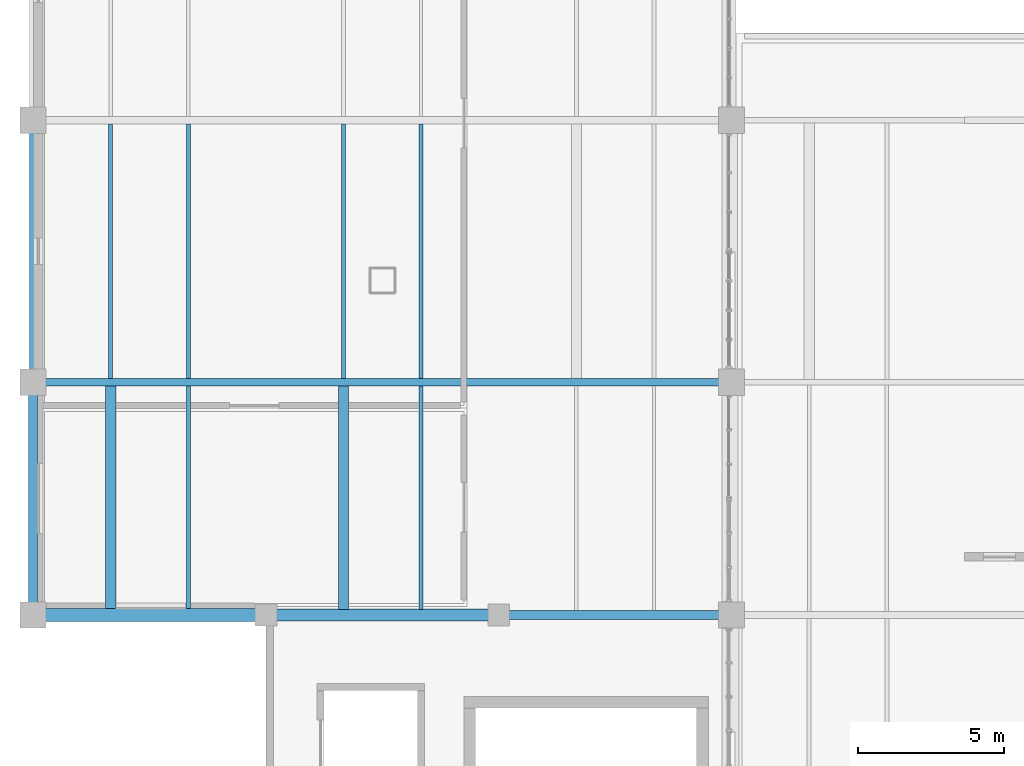
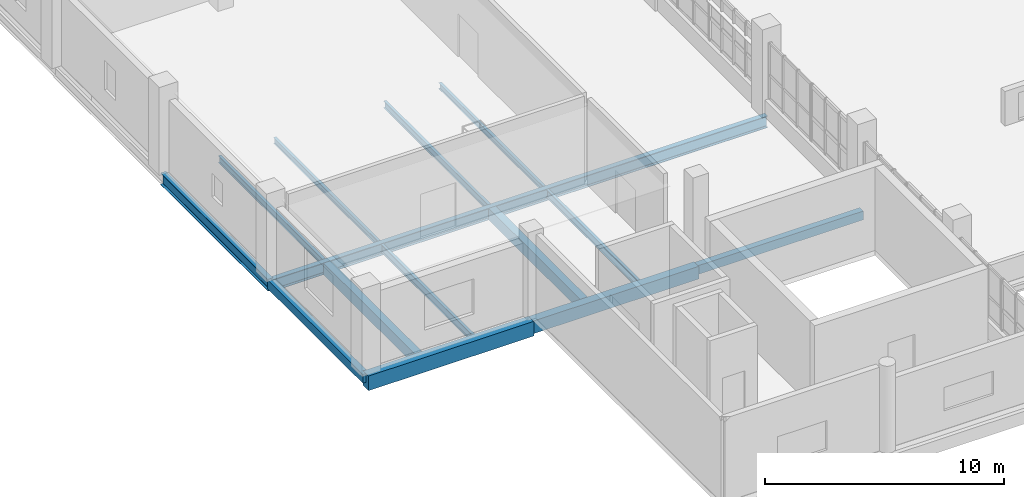
# One storey, part 12 of 85: 14 beams.
"""IFC4 building model written with IfcOpenShell, lengths in metres."""

from ifc_helpers import new_model, si_unit, derived_unit, direction, frame, origin, origin_2d, place, context, subcontext, project, spatial, rectangle, i_section, extrude, material, material_profile, profile_set, type_object, element, save


model = new_model("IFC4")

# Units and contexts
model_context = context("Model", 3, precision=1e-05, world=origin(), true_north=direction((0.0, 1.0)))
body_context = subcontext(model_context, "Body", "Model", "MODEL_VIEW")
ifc_project = project(units=[si_unit("LENGTHUNIT", "METRE"), si_unit("AREAUNIT", "SQUARE_METRE"), si_unit("VOLUMEUNIT", "CUBIC_METRE"), si_unit("PLANEANGLEUNIT", "RADIAN"), si_unit("MASSUNIT", "GRAM", prefix="KILO"), derived_unit("THERMALTRANSMITTANCEUNIT", [(si_unit("POWERUNIT", "WATT"), 1), (si_unit("LENGTHUNIT", "METRE"), -2), (si_unit("THERMODYNAMICTEMPERATUREUNIT", "KELVIN"), -1)])], contexts=[model_context])

# Site, building, storey
site_placement = place(None, origin())
site = spatial("IfcSite", under=ifc_project, at=site_placement, CompositionType="ELEMENT")
building_placement = place(site_placement, origin())
building = spatial("IfcBuilding", under=site, at=building_placement, Name="Nallur Shell Playhouse", CompositionType="ELEMENT")
storey_placement = place(building_placement, frame((0.0, 0.0, 19.800048828125)))
storey = spatial("IfcBuildingStorey", under=building, at=storey_placement, Name="L05", CompositionType="ELEMENT", Elevation=19.800048828125)

# Beams
ifc_material_1 = material(Name="Steel E250", Category="steel")
ifc_material_profile_1 = material_profile(ifc_material_1, i_section(OverallWidth=0.139892578125, OverallDepth=0.300048828125, WebThickness=0.0078125, FlangeThickness=0.01318359375, FilletRadius=0.013916015625, at=origin_2d()), Name="ISMB 300")
ifc_profile_set_1 = profile_set([ifc_material_profile_1], Name="Steel E250")
beam_type_1 = type_object("IfcBeamType", Name="BM-JST-ISMB300", PredefinedType="JOIST", material=ifc_profile_set_1)
for number, where, z_axis, x_axis, name in (
    (1, (21.333251953125, 32.123046875, -0.400146484375), (0.0, 1.0, 0.0), (-1.0, 0.0, 0.0), "L05 secondary joist 2-D-1053"),
    (2, (29.333251953125, 32.123046875, -0.400146484375), (0.0, 1.0, 0.0), (-1.0, 0.0, 0.0), "L05 secondary joist 3-D-1065"),
):
    element("IfcBeam", number, at=place(storey_placement, frame(where, z_axis=z_axis, x_axis=x_axis)), inside=storey, type_object=beam_type_1, Name=name, PredefinedType="JOIST", context=body_context, shape_type="SweptSolid", body=[
        extrude(i_section(OverallWidth=0.139892578125, OverallDepth=0.300048828125, WebThickness=0.0078125, FlangeThickness=0.01318359375, FilletRadius=0.013916015625, at=origin_2d()), origin(), (0.0, 0.0, 1.0), 8.75390625),
    ])
ifc_material_profile_2 = material_profile(ifc_material_1, i_section(OverallWidth=0.139892578125, OverallDepth=0.35009765625, WebThickness=0.008056640625, FlangeThickness=0.01416015625, FilletRadius=0.013916015625, at=origin_2d()), Name="ISMB 350")
ifc_profile_set_2 = profile_set([ifc_material_profile_2], Name="Steel E250")
beam_type_2 = type_object("IfcBeamType", Name="BM-JST-ISMB350", PredefinedType="JOIST", material=ifc_profile_set_2)
for number, where, z_axis, x_axis, name in (
    (3, (18.666748046875, 32.123046875, -0.425048828125), (0.0, 1.0, 0.0), (-1.0, 0.0, 0.0), "L05 secondary joist 2-D-1052"),
    (4, (26.666748046875, 32.123046875, -0.425048828125), (0.0, 1.0, 0.0), (-1.0, 0.0, 0.0), "L05 secondary joist 3-D-1064"),
):
    element("IfcBeam", number, at=place(storey_placement, frame(where, z_axis=z_axis, x_axis=x_axis)), inside=storey, type_object=beam_type_2, Name=name, PredefinedType="JOIST", context=body_context, shape_type="SweptSolid", body=[
        extrude(i_section(OverallWidth=0.139892578125, OverallDepth=0.35009765625, WebThickness=0.008056640625, FlangeThickness=0.01416015625, FilletRadius=0.013916015625, at=origin_2d()), origin(), (0.0, 0.0, 1.0), 8.75390625),
    ])
ifc_material_profile_3 = material_profile(ifc_material_1, i_section(OverallWidth=0.139892578125, OverallDepth=0.39990234375, WebThickness=0.0087890625, FlangeThickness=0.01611328125, FilletRadius=0.013916015625, at=origin_2d()), Name="ISMB 400")
ifc_profile_set_3 = profile_set([ifc_material_profile_3], Name="Steel E250")
beam_type_3 = type_object("IfcBeamType", Name="BM-JST-ISMB400", PredefinedType="JOIST", material=ifc_profile_set_3)
beam_1_placement = place(storey_placement, frame((21.333251953125, 24.222900390625, -0.449951171875), z_axis=(0.0, 1.0, 0.0), x_axis=(-1.0, 0.0, 0.0)))
element("IfcBeam", 5, at=beam_1_placement, inside=storey, type_object=beam_type_3, Name="L05 secondary joist 2-C-1051", PredefinedType="JOIST", context=body_context, shape_type="SweptSolid", body=[
    extrude(i_section(OverallWidth=0.139892578125, OverallDepth=0.39990234375, WebThickness=0.0087890625, FlangeThickness=0.01611328125, FilletRadius=0.013916015625, at=origin_2d()), origin(), (0.0, 0.0, 1.0), 7.654052734375),
])
beam_2_placement = place(storey_placement, frame((29.333251953125, 24.197998046875, -0.449951171875), z_axis=(0.0, 1.0, 0.0), x_axis=(-1.0, 0.0, 0.0)))
element("IfcBeam", 6, at=beam_2_placement, inside=storey, type_object=beam_type_3, Name="L05 secondary joist 3-C-1063", PredefinedType="JOIST", context=body_context, shape_type="SweptSolid", body=[
    extrude(i_section(OverallWidth=0.139892578125, OverallDepth=0.39990234375, WebThickness=0.0087890625, FlangeThickness=0.01611328125, FilletRadius=0.013916015625, at=origin_2d()), origin(), (0.0, 0.0, 1.0), 7.678955078125),
])
ifc_material_2 = material(Name="Concrete M30", Category="concrete")
ifc_material_profile_4 = material_profile(ifc_material_2, rectangle(XDim=0.35009765625, YDim=0.60009765625, at=origin_2d()), Name="RC 350x600")
ifc_profile_set_4 = profile_set([ifc_material_profile_4], Name="Concrete M30")
beam_type_4 = type_object("IfcBeamType", Name="BM-RC-350x600", PredefinedType="JOIST", material=ifc_profile_set_4)
beam_3_placement = place(storey_placement, frame((18.666748046875, 24.222900390625, -0.550048828125), z_axis=(0.0, 1.0, 0.0), x_axis=(-1.0, 0.0, 0.0)))
element("IfcBeam", 7, at=beam_3_placement, inside=storey, type_object=beam_type_4, Name="L05 secondary joist 2-C-1050", PredefinedType="JOIST", context=body_context, shape_type="SweptSolid", body=[
    extrude(rectangle(XDim=0.35009765625, YDim=0.60009765625, at=origin_2d()), origin(), (0.0, 0.0, 1.0), 7.654052734375),
])
beam_4_placement = place(storey_placement, frame((26.666748046875, 24.197998046875, -0.550048828125), z_axis=(0.0, 1.0, 0.0), x_axis=(-1.0, 0.0, 0.0)))
element("IfcBeam", 8, at=beam_4_placement, inside=storey, type_object=beam_type_4, Name="L05 secondary joist 3-C-1062", PredefinedType="JOIST", context=body_context, shape_type="SweptSolid", body=[
    extrude(rectangle(XDim=0.35009765625, YDim=0.60009765625, at=origin_2d()), origin(), (0.0, 0.0, 1.0), 7.678955078125),
])
ifc_material_3 = material(Name="Concrete M35", Category="concrete")
ifc_material_profile_5 = material_profile(ifc_material_3, rectangle(XDim=0.39990234375, YDim=0.64990234375, at=origin_2d()), Name="RC 400x650")
ifc_profile_set_5 = profile_set([ifc_material_profile_5], Name="Concrete M35")
beam_type_5 = type_object("IfcBeamType", Name="BM-RC-400x650", PredefinedType="BEAM", material=ifc_profile_set_5)
beam_5_placement = place(storey_placement, frame((24.0, 24.0, -0.574951171875), z_axis=(1.0, 0.0, 0.0), x_axis=(0.0, 1.0, 0.0)))
element("IfcBeam", 9, at=beam_5_placement, inside=storey, type_object=beam_type_5, Name="L05 girder X-C-943", PredefinedType="BEAM", context=body_context, shape_type="SweptSolid", body=[
    extrude(rectangle(XDim=0.39990234375, YDim=0.64990234375, at=origin_2d()), origin(), (0.0, 0.0, 1.0), 8.0),
])
ifc_material_profile_6 = material_profile(ifc_material_3, rectangle(XDim=0.449951171875, YDim=0.75, at=origin_2d()), Name="RC 450x750")
ifc_profile_set_6 = profile_set([ifc_material_profile_6], Name="Concrete M35")
beam_type_6 = type_object("IfcBeamType", Name="BM-RC-450x750", PredefinedType="BEAM", material=ifc_profile_set_6)
beam_6_placement = place(storey_placement, frame((16.0, 24.0, -0.625), z_axis=(1.0, 0.0, 0.0), x_axis=(0.0, 1.0, 0.0)))
element("IfcBeam", 10, at=beam_6_placement, inside=storey, type_object=beam_type_6, Name="L05 girder X-C-942", PredefinedType="BEAM", context=body_context, shape_type="SweptSolid", body=[
    extrude(rectangle(XDim=0.449951171875, YDim=0.75, at=origin_2d()), origin(), (0.0, 0.0, 1.0), 8.0),
])
ifc_material_profile_7 = material_profile(ifc_material_3, rectangle(XDim=0.300048828125, YDim=0.449951171875, at=origin_2d()), Name="RC 300x450")
ifc_profile_set_7 = profile_set([ifc_material_profile_7], Name="Concrete M35")
beam_type_7 = type_object("IfcBeamType", Name="BM-SPN-300x450", PredefinedType="SPANDREL", material=ifc_profile_set_7)
for number, where, z_axis, x_axis, name in (
    (11, (32.0, 24.0, -0.47509765625), (1.0, 0.0, 0.0), (0.0, 1.0, 0.0), "L05 girder X-C-944"),
    (12, (16.0, 24.0, -0.47509765625), (0.0, 1.0, 0.0), (-1.0, 0.0, 0.0), "L05 girder Y-2-992"),
):
    element("IfcBeam", number, at=place(storey_placement, frame(where, z_axis=z_axis, x_axis=x_axis)), inside=storey, type_object=beam_type_7, Name=name, PredefinedType="SPANDREL", context=body_context, shape_type="SweptSolid", body=[
        extrude(rectangle(XDim=0.300048828125, YDim=0.449951171875, at=origin_2d()), origin(), (0.0, 0.0, 1.0), 8.0),
    ])
ifc_material_4 = material(Name="Steel E350", Category="steel")
ifc_material_profile_8 = material_profile(ifc_material_4, i_section(OverallWidth=0.25, OverallDepth=0.60009765625, WebThickness=0.01171875, FlangeThickness=0.023681640625, FilletRadius=0.01708984375, at=origin_2d()), Name="ISWB 600")
ifc_profile_set_8 = profile_set([ifc_material_profile_8], Name="Steel E350")
beam_type_8 = type_object("IfcBeamType", Name="BM-ST-ISWB600", PredefinedType="BEAM", material=ifc_profile_set_8)
beam_7_placement = place(storey_placement, frame((16.0, 32.0, -0.550048828125), z_axis=(0.0, 1.0, 0.0), x_axis=(-1.0, 0.0, 0.0)))
element("IfcBeam", 13, at=beam_7_placement, inside=storey, type_object=beam_type_8, Name="L05 girder Y-2-993", PredefinedType="BEAM", context=body_context, shape_type="SweptSolid", body=[
    extrude(i_section(OverallWidth=0.25, OverallDepth=0.60009765625, WebThickness=0.01171875, FlangeThickness=0.023681640625, FilletRadius=0.01708984375, at=origin_2d()), origin(), (0.0, 0.0, 1.0), 9.0),
])
beam_8_placement = place(storey_placement, frame((16.0, 32.0, -0.550048828125), z_axis=(1.0, 0.0, 0.0), x_axis=(0.0, 1.0, 0.0)))
element("IfcBeam", 14, at=beam_8_placement, inside=storey, type_object=beam_type_8, Name="L05 long-span hall girder Y=32.0-1045", PredefinedType="BEAM", context=body_context, shape_type="SweptSolid", body=[
    extrude(i_section(OverallWidth=0.25, OverallDepth=0.60009765625, WebThickness=0.01171875, FlangeThickness=0.023681640625, FilletRadius=0.01708984375, at=origin_2d()), origin(), (0.0, 0.0, 1.0), 24.0),
])

save(model, "model.ifc")
